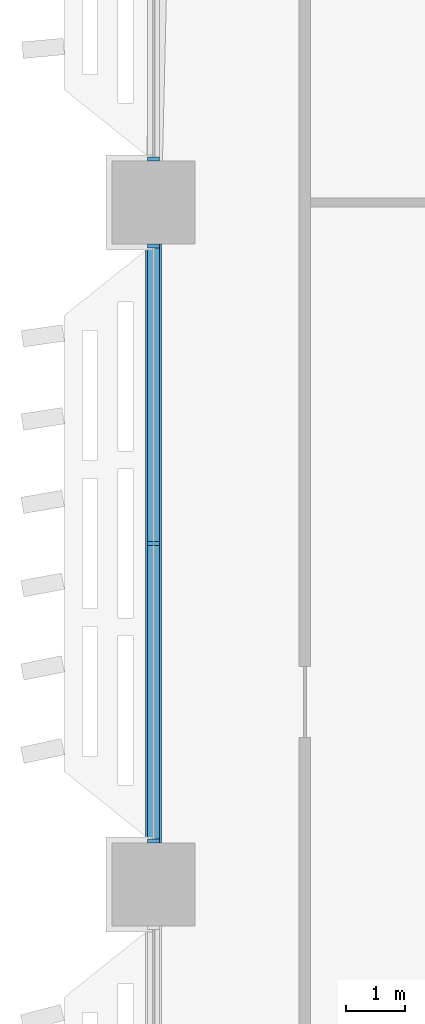
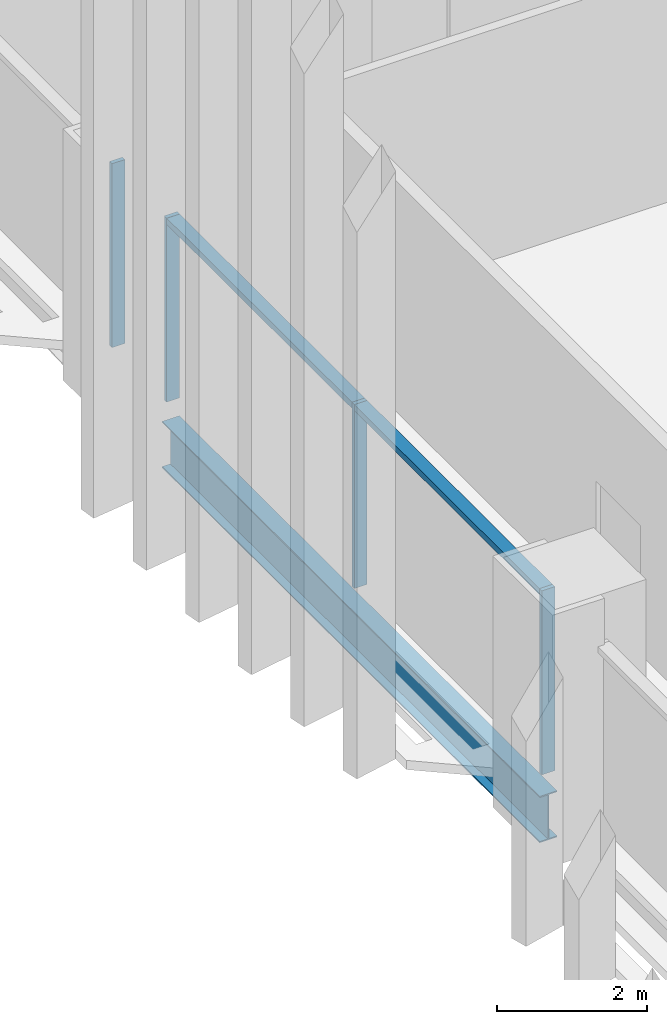
# One storey, part 4 of 31: 6 members, 1 beam, 2 elements without a shape of their own.
"""IFC4 building model written with IfcOpenShell, lengths in metres."""

from ifc_helpers import new_model, si_unit, direction, frame, origin, origin_2d, place, context, subcontext, project, spatial, rectangle, i_section, extrude, material, material_profile, profile_set, type_object, element, aggregate, save


model = new_model("IFC4")

# Units and contexts
model_context = context("Model", 3, precision=1e-05, world=origin(), true_north=direction((0.0, 1.0)))
body_context = subcontext(model_context, "Body", "Model", "MODEL_VIEW")
ifc_project = project(units=[si_unit("LENGTHUNIT", "METRE"), si_unit("AREAUNIT", "SQUARE_METRE"), si_unit("VOLUMEUNIT", "CUBIC_METRE"), si_unit("PLANEANGLEUNIT", "RADIAN"), si_unit("MASSUNIT", "GRAM", prefix="KILO")], contexts=[model_context])

# Site, building, storey
site_placement = place(None, origin())
site = spatial("IfcSite", under=ifc_project, at=site_placement, CompositionType="ELEMENT")
building_placement = place(site_placement, origin())
building = spatial("IfcBuilding", under=site, at=building_placement, Name="Mahtab Terrace Research Tower", CompositionType="ELEMENT")
storey_placement = place(building_placement, frame((0.0, 0.0, 101.199951171875)))
storey = spatial("IfcBuildingStorey", under=building, at=storey_placement, Name="L23", CompositionType="ELEMENT", Elevation=101.199951171875)

# Curtain wall, member
ifc_material_1 = material(Name="Laboratory ribbon curtain wall")
curtain_wall_type = type_object("IfcCurtainWallType", Name="Laboratory ribbon curtain wall", PredefinedType="NOTDEFINED", material=ifc_material_1)
curtain_wall_1_placement = place(storey_placement, origin())
curtain_wall_1 = element("IfcCurtainWall", 1, at=curtain_wall_1_placement, inside=storey, type_object=curtain_wall_type, Name="EN.L23.8.16", PredefinedType="NOTDEFINED")
ifc_material_2 = material(Name="Natural anodised aluminium", Category="aluminium")
ifc_material_profile_1 = material_profile(ifc_material_2, rectangle(XDim=0.199951171875, YDim=0.06494140625, at=origin_2d()), Name="MULLION 65x200")
ifc_profile_set_1 = profile_set([ifc_material_profile_1], Name="Natural anodised aluminium")
member_type_1 = type_object("IfcMemberType", Name="Laboratory ribbon curtain wall mullion", PredefinedType="MULLION", material=ifc_profile_set_1)
member_1_placement = place(storey_placement, frame((-42.0, 12.232421875, 0.0), z_axis=(0.0, 0.0, 1.0), x_axis=(1.0, 0.0, 0.0)))
member_1 = element("IfcMember", 2, at=member_1_placement, type_object=member_type_1, Name="CWL-3 mullion 3", PredefinedType="MULLION", context=body_context, shape_type="SweptSolid", body=[
    extrude(rectangle(XDim=0.199951171875, YDim=0.06494140625, at=origin_2d()), origin(), (0.0, 0.0, 1.0), 3.003173828125),
])
aggregate(curtain_wall_1, [member_1])

# Curtain wall, members
curtain_wall_2_placement = place(storey_placement, origin())
curtain_wall_2 = element("IfcCurtainWall", 3, at=curtain_wall_2_placement, inside=storey, type_object=curtain_wall_type, Name="EN.L23.8.17", PredefinedType="NOTDEFINED")
member_2_placement = place(storey_placement, frame((-42.0, 10.767578125, 0.0), z_axis=(0.0, 0.0, 1.0), x_axis=(1.0, 0.0, 0.0)))
member_2 = element("IfcMember", 4, at=member_2_placement, type_object=member_type_1, Name="CWL-3 mullion 1", PredefinedType="MULLION", context=body_context, shape_type="SweptSolid", body=[
    extrude(rectangle(XDim=0.199951171875, YDim=0.06494140625, at=origin_2d()), origin(), (0.0, 0.0, 1.0), 3.003173828125),
])
member_3_placement = place(storey_placement, frame((-42.0, 5.75, 0.0), z_axis=(0.0, 0.0, 1.0), x_axis=(1.0, 0.0, 0.0)))
member_3 = element("IfcMember", 5, at=member_3_placement, type_object=member_type_1, Name="CWL-3 mullion 2", PredefinedType="MULLION", context=body_context, shape_type="SweptSolid", body=[
    extrude(rectangle(XDim=0.199951171875, YDim=0.06494140625, at=origin_2d()), origin(), (0.0, 0.0, 1.0), 3.003173828125),
])
member_4_placement = place(storey_placement, frame((-42.0, 0.732421875, 0.0), z_axis=(0.0, 0.0, 1.0), x_axis=(1.0, 0.0, 0.0)))
member_4 = element("IfcMember", 6, at=member_4_placement, type_object=member_type_1, Name="CWL-3 mullion 3", PredefinedType="MULLION", context=body_context, shape_type="SweptSolid", body=[
    extrude(rectangle(XDim=0.199951171875, YDim=0.06494140625, at=origin_2d()), origin(), (0.0, 0.0, 1.0), 3.003173828125),
])
ifc_material_profile_2 = material_profile(ifc_material_2, rectangle(XDim=0.199951171875, YDim=0.10009765625, at=origin_2d()), Name="TRANSOM 100x200")
ifc_profile_set_2 = profile_set([ifc_material_profile_2], Name="Natural anodised aluminium")
member_type_2 = type_object("IfcMemberType", Name="Laboratory ribbon curtain wall transom", PredefinedType="USERDEFINED", material=ifc_profile_set_2)
member_5_placement = place(storey_placement, frame((-42.0, 10.735107421875, 2.953125), z_axis=(0.0, -1.0, 0.0), x_axis=(1.0, 0.0, 0.0)))
member_5 = element("IfcMember", 7, at=member_5_placement, type_object=member_type_2, Name="CWL-3 transom 1", ObjectType="TRANSOM", PredefinedType="USERDEFINED", context=body_context, shape_type="SweptSolid", body=[
    extrude(rectangle(XDim=0.199951171875, YDim=0.10009765625, at=origin_2d()), origin(), (0.0, 0.0, 1.0), 4.95263671875),
])
member_6_placement = place(storey_placement, frame((-42.0, 5.717529296875, 2.953125), z_axis=(0.0, -1.0, 0.0), x_axis=(1.0, 0.0, 0.0)))
member_6 = element("IfcMember", 8, at=member_6_placement, type_object=member_type_2, Name="CWL-3 transom 2", ObjectType="TRANSOM", PredefinedType="USERDEFINED", context=body_context, shape_type="SweptSolid", body=[
    extrude(rectangle(XDim=0.199951171875, YDim=0.10009765625, at=origin_2d()), origin(), (0.0, 0.0, 1.0), 4.95263671875),
])
aggregate(curtain_wall_2, [member_2, member_3, member_4, member_5, member_6])

# Beam
ifc_material_3 = material(Name="Steel ASTM A992 Gr 50", Category="steel")
ifc_material_profile_3 = material_profile(ifc_material_3, i_section(OverallWidth=0.2666015625, OverallDepth=0.7568359375, WebThickness=0.013916015625, FlangeThickness=0.019287109375, at=origin_2d()), Name="W30X108")
ifc_profile_set_3 = profile_set([ifc_material_profile_3], Name="Steel ASTM A992 Gr 50")
beam_type = type_object("IfcBeamType", Name="W30x108 beam BS30108", PredefinedType="BEAM", material=ifc_profile_set_3)
beam_placement = place(storey_placement, frame((-42.0, 10.800048828125, -0.718505859375), z_axis=(0.0, -1.0, 0.0), x_axis=(1.0, 0.0, 0.0)))
element("IfcBeam", 9, at=beam_placement, inside=storey, type_object=beam_type, Name="Spandrel beam L23 10", PredefinedType="BEAM", context=body_context, shape_type="SweptSolid", body=[
    extrude(i_section(OverallWidth=0.2666015625, OverallDepth=0.7568359375, WebThickness=0.013916015625, FlangeThickness=0.019287109375, at=origin_2d()), origin(), (0.0, 0.0, 1.0), 10.10009765625),
])

save(model, "model.ifc")
